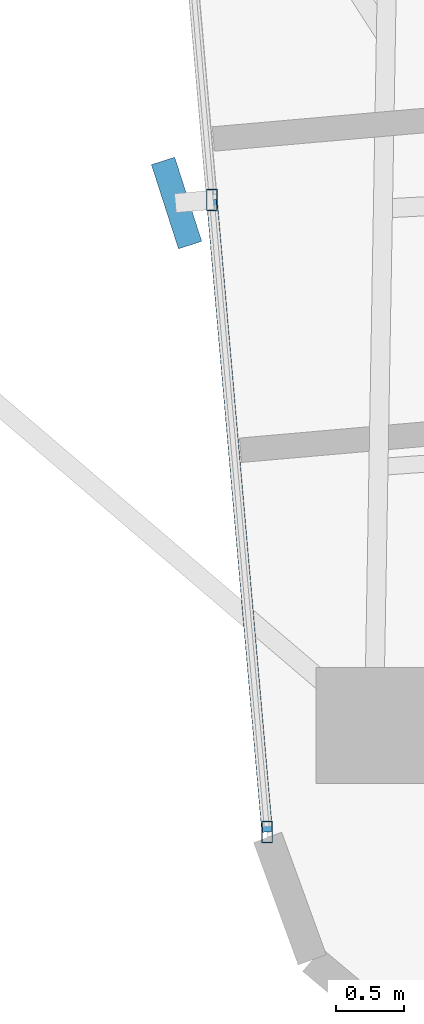
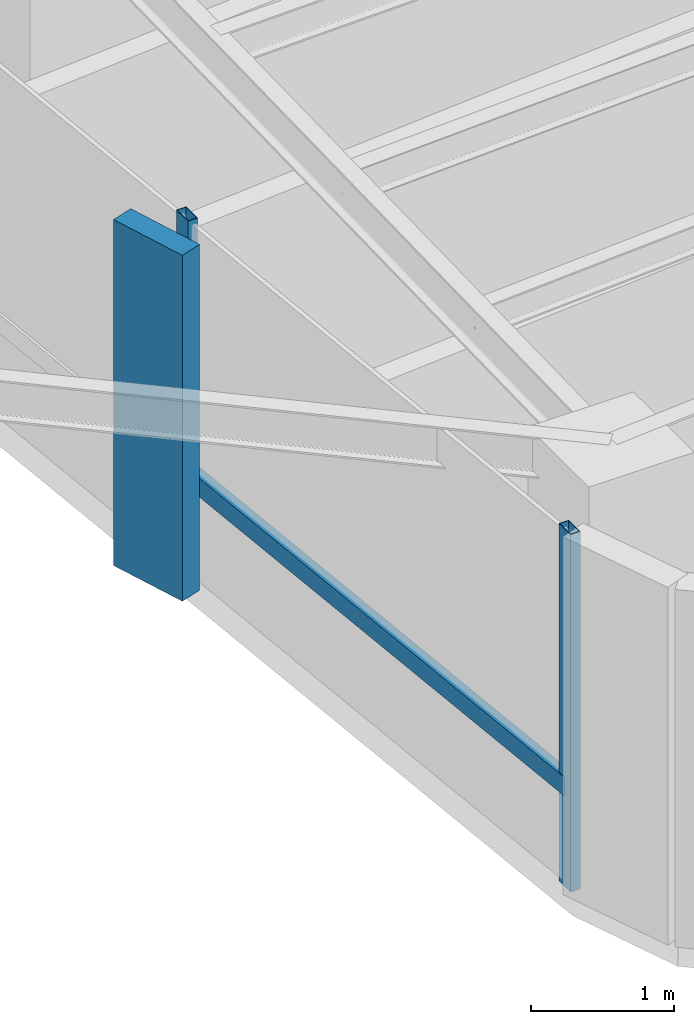
# One storey, part 2 of 24: 4 members, 1 element without a shape of its own.
"""IFC4 building model written with IfcOpenShell, lengths in metres."""

from ifc_helpers import new_model, si_unit, direction, frame, origin, origin_2d, place, context, subcontext, project, spatial, rectangle, hollow_rectangle, extrude, source, transform, mapped, material, material_profile, profile_set, type_object, element, aggregate, save


model = new_model("IFC4")

# Units and contexts
model_context = context("Model", 3, precision=1e-05, world=origin(), true_north=direction((0.0, 1.0)))
body_context = subcontext(model_context, "Body", "Model", "MODEL_VIEW")
ifc_project = project(units=[si_unit("LENGTHUNIT", "METRE"), si_unit("AREAUNIT", "SQUARE_METRE"), si_unit("VOLUMEUNIT", "CUBIC_METRE"), si_unit("PLANEANGLEUNIT", "RADIAN"), si_unit("MASSUNIT", "GRAM", prefix="KILO")], contexts=[model_context])

# Site, building, storey
site_placement = place(None, origin())
site = spatial("IfcSite", under=ifc_project, at=site_placement, CompositionType="ELEMENT")
building_placement = place(site_placement, origin())
building = spatial("IfcBuilding", under=site, at=building_placement, Name="Sahyath Konkavel Grand Hotel", CompositionType="ELEMENT")
storey_placement = place(building_placement, frame((0.0, 0.0, 167.35009765625)))
storey = spatial("IfcBuildingStorey", under=building, at=storey_placement, Name="L46", CompositionType="ELEMENT", Elevation=167.35009765625)

# Curtain wall, members
ifc_material_1 = material(Name="Anodised Bronze Aluminium & Low-E Glazing", Category="aluminium")
curtain_wall_type = type_object("IfcCurtainWallType", Name="CW-ZONE3", PredefinedType="NOTDEFINED", material=ifc_material_1)
curtain_wall_placement = place(storey_placement, origin())
curtain_wall = element("IfcCurtainWall", 1, at=curtain_wall_placement, inside=storey, type_object=curtain_wall_type, Name="L46 Unitised Curtain Wall F24", PredefinedType="NOTDEFINED")
ifc_material_2 = material(Name="Anodised Bronze Aluminium", Category="aluminium")
ifc_material_profile_1 = material_profile(ifc_material_2, hollow_rectangle(XDim=0.080078125, YDim=0.159912109375, WallThickness=0.006103515625, at=origin_2d()), Name="RHS 160x80x6")
ifc_profile_set_1 = profile_set([ifc_material_profile_1], Name="Anodised Bronze Aluminium")
member_type_1 = type_object("IfcMemberType", Name="CW-MUL-160", PredefinedType="MULLION", material=ifc_profile_set_1)
shared_shape_1 = source(origin(), body_context, "Body", "SweptSolid", [
    extrude(hollow_rectangle(XDim=0.080078125, YDim=0.159912109375, WallThickness=0.006103515625, at=origin_2d()), origin(), (0.0, 0.0, 1.0), 3.0498046875),
])
member_1_placement = place(storey_placement, frame((-5.12744140625, -14.251220703125, 0.0), z_axis=(0.0, 0.0, 1.0), x_axis=(1.0, 0.0, 0.0)))
member_1 = element("IfcMember", 2, at=member_1_placement, type_object=member_type_1, Name="L46 Curtain Wall Mullion F24-1", PredefinedType="MULLION", context=body_context, shape_type="MappedRepresentation", body=[
    mapped(shared_shape_1, transform((0.0, 0.0, 0.0), scale=1.0)),
])
member_2_placement = place(storey_placement, frame((-4.72119140625, -18.893310546875, 0.0), z_axis=(0.0, 0.0, 1.0), x_axis=(1.0, 0.0, 0.0)))
member_2 = element("IfcMember", 3, at=member_2_placement, type_object=member_type_1, Name="L46 Curtain Wall Mullion F24-2", PredefinedType="MULLION", context=body_context, shape_type="MappedRepresentation", body=[
    mapped(shared_shape_1, transform((0.0, 0.0, 0.0), scale=1.0)),
])
ifc_material_3 = material(Name="Warm Buff Sandstone Cladding on Concrete C50/60", Category="masonry")
ifc_material_profile_2 = material_profile(ifc_material_3, rectangle(XDim=0.179931640625, YDim=0.64990234375, at=origin_2d()), Name="FIN 180x650")
ifc_profile_set_2 = profile_set([ifc_material_profile_2], Name="Warm Buff Sandstone Cladding on Concrete C50/60")
member_type_2 = type_object("IfcMemberType", Name="FIN-SANDSTONE-650", PredefinedType="MULLION", material=ifc_profile_set_2)
shared_shape_2 = source(origin(), body_context, "Body", "SweptSolid", [
    extrude(rectangle(XDim=0.179931640625, YDim=0.64990234375, at=origin_2d()), origin(), (0.0, 0.0, 1.0), 2.9501953125),
])
member_3_placement = place(storey_placement, frame((-5.386474609375, -14.273681640625, 0.0498046875), z_axis=(0.0, 0.0, 1.0), x_axis=(0.952022626946, 0.306027642189, 0.0)))
member_3 = element("IfcMember", 4, at=member_3_placement, type_object=member_type_2, Name="L46 Sandstone Vertical Solar Fin FIN F24-1", PredefinedType="MULLION", context=body_context, shape_type="MappedRepresentation", body=[
    mapped(shared_shape_2, transform((0.0, 0.0, 0.0), scale=1.0)),
])
ifc_material_profile_3 = material_profile(ifc_material_2, hollow_rectangle(XDim=0.080078125, YDim=0.159912109375, WallThickness=0.006103515625, at=origin_2d()), Name="RHS 160x80x6")
ifc_profile_set_3 = profile_set([ifc_material_profile_3], Name="Anodised Bronze Aluminium")
member_type_3 = type_object("IfcMemberType", Name="CW-TRN-160", PredefinedType="USERDEFINED", material=ifc_profile_set_3)
shared_shape_3 = source(origin(), body_context, "Body", "SweptSolid", [
    extrude(hollow_rectangle(XDim=0.080078125, YDim=0.159912109375, WallThickness=0.006103515625, at=origin_2d()), origin(), (0.0, 0.0, 1.0), 4.659912109375),
])
member_4_placement = place(storey_placement, frame((-5.12744140625, -14.251220703125, 0.849853515625), z_axis=(0.087181248758, -0.996192466276, 0.0), x_axis=(0.996192466276, 0.087181248758, 0.0)))
member_4 = element("IfcMember", 5, at=member_4_placement, type_object=member_type_3, Name="L46 Curtain Wall Transom F24-1-spandrel", ObjectType="TRANSOM", PredefinedType="USERDEFINED", context=body_context, shape_type="MappedRepresentation", body=[
    mapped(shared_shape_3, transform((0.0, 0.0, 0.0), scale=1.0)),
])
aggregate(curtain_wall, [member_1, member_3, member_2, member_4])

save(model, "model.ifc")
